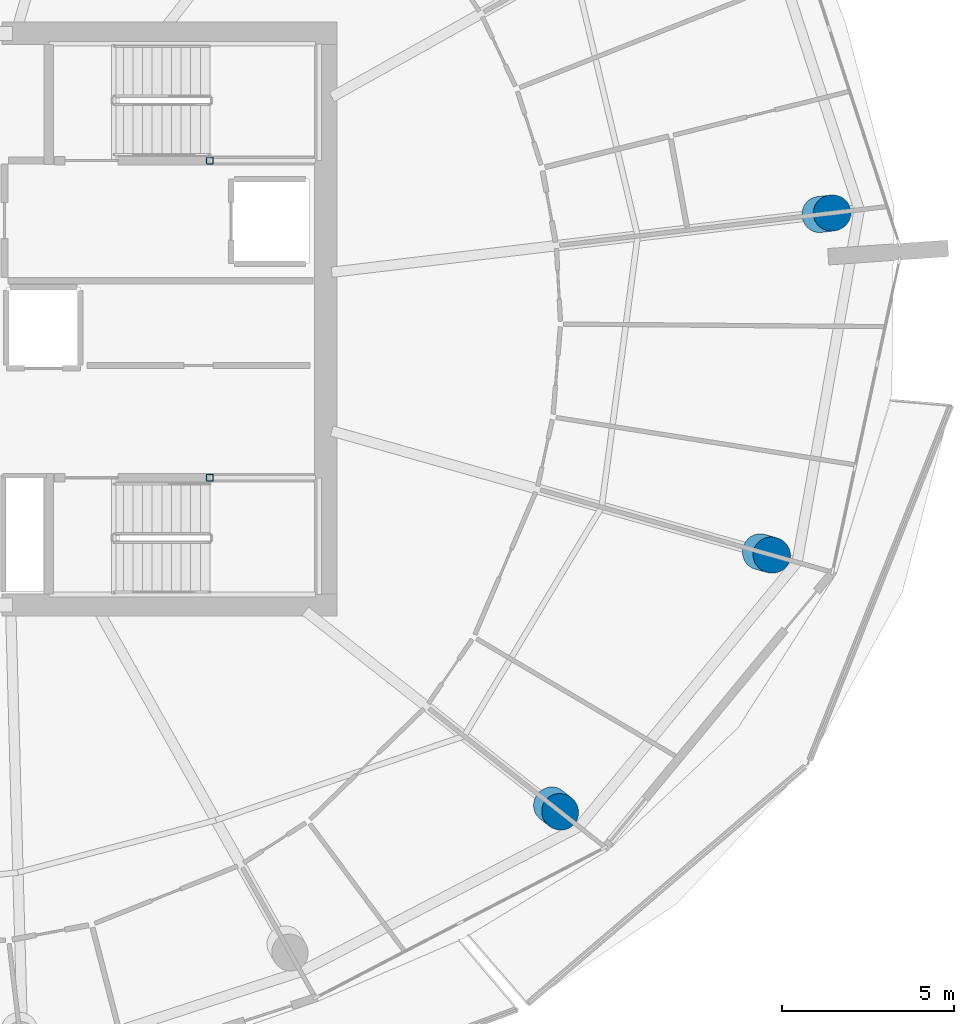
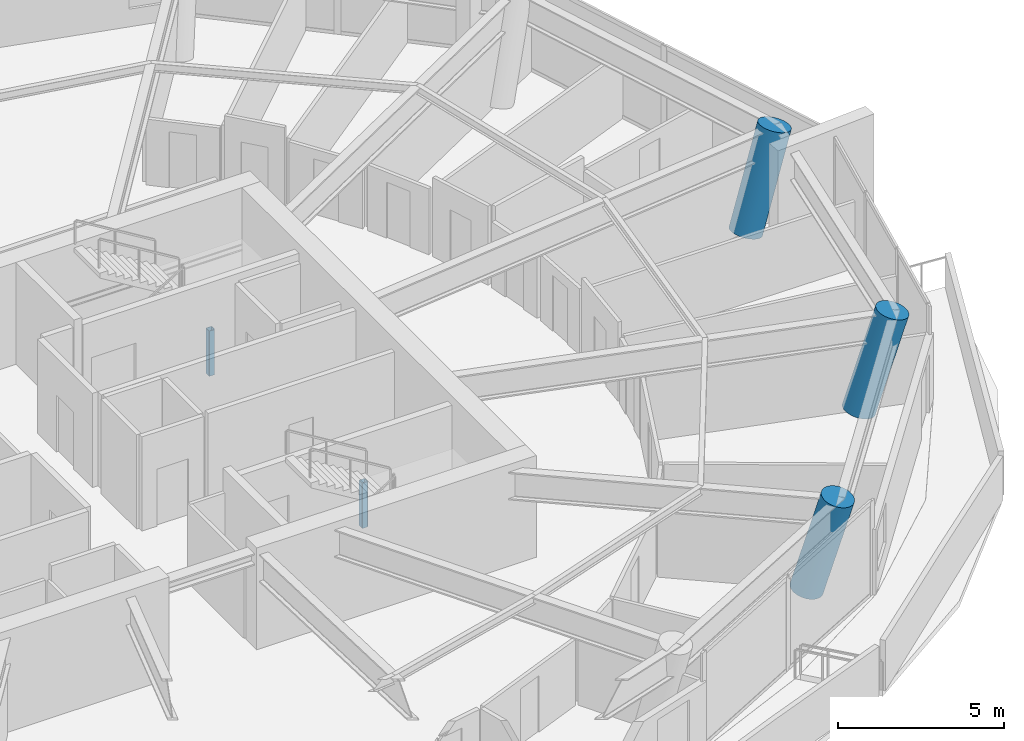
# One storey, part 3 of 20: 5 columns.
"""IFC4 building model written with IfcOpenShell, lengths in metres."""

import ifcopenshell
import ifcopenshell.guid

model = None  # the IFC model being written
_history = None  # IfcOwnerHistory: only IFC2X3 demands one
_inside = {}  # id of a spatial element -> (the spatial element, [elements in it])
_under = {}  # id of a project, library or spatial element -> (it, [spatial elements below it])
_declared = {}  # id of a project -> (the project, [libraries it declares])
_typed = {}  # id of a type object -> (the type object, [elements of that type])
_made_of = {}  # id of a material, layer set ... -> (it, [elements and type objects made of it])


def new_model(schema):
    """Start an empty IFC model of exactly this schema.

    Asked for "IFC4X3", IfcOpenShell would pick the latest addendum, in which some entities
    have other attributes; the version numbers below select the first issue.
    IFC2X3 requires an IfcOwnerHistory on every rooted entity: one is made here for all.
    """
    global model, _history
    if schema == "IFC4X3":
        model = ifcopenshell.file(schema_version=(4, 3, 0, 0))
    else:
        model = ifcopenshell.file(schema=schema)
    _inside.clear()
    _under.clear()
    _declared.clear()
    _typed.clear()
    _made_of.clear()
    _history = None
    if model.schema == "IFC2X3":
        org = make("IfcOrganization", Name="unknown")
        user = make(
            "IfcPersonAndOrganization",
            ThePerson=make("IfcPerson", FamilyName="unknown"),
            TheOrganization=org,
        )
        app = make(
            "IfcApplication",
            ApplicationDeveloper=org,
            Version="unknown",
            ApplicationFullName="unknown",
            ApplicationIdentifier="unknown",
        )
        _history = make(
            "IfcOwnerHistory",
            OwningUser=user,
            OwningApplication=app,
            ChangeAction="ADDED",
            CreationDate=0,
        )
    return model


def make(cls, **values):
    """One entity of the class cls with the attributes given. An attribute that is None is left unset."""
    return model.create_entity(
        cls, **{name: value for name, value in values.items() if value is not None}
    )


def rooted(cls, **values):
    """An entity with a GlobalId (a new one), such as an element, a storey or a relation."""
    return make(cls, GlobalId=ifcopenshell.guid.new(), OwnerHistory=_history, **values)


def si_unit(unit_type, name, prefix=None):
    """IfcSIUnit, for example si_unit("LENGTHUNIT", "METRE", prefix="MILLI")."""
    return make("IfcSIUnit", UnitType=unit_type, Prefix=prefix, Name=name)


def assignment(units):
    """IfcUnitAssignment: the units of a project."""
    return None if units is None else make("IfcUnitAssignment", Units=units)


def point(xyz):
    """IfcCartesianPoint."""
    return None if xyz is None else make("IfcCartesianPoint", Coordinates=xyz)


def direction(xyz):
    """IfcDirection."""
    return None if xyz is None else make("IfcDirection", DirectionRatios=xyz)


def frame(location, z_axis=None, x_axis=None):
    """IfcAxis2Placement3D, a coordinate frame: its origin and axes. An axis left out is left unset."""
    return make(
        "IfcAxis2Placement3D",
        Location=point(location),
        Axis=direction(z_axis),
        RefDirection=direction(x_axis),
    )


def frame_2d(location, x_axis=None):
    """IfcAxis2Placement2D, a coordinate frame in the plane: its origin and x axis."""
    return make(
        "IfcAxis2Placement2D", Location=point(location), RefDirection=direction(x_axis)
    )


def origin():
    """The frame at (0, 0, 0) with its axes left unset."""
    return frame((0.0, 0.0, 0.0))


def origin_2d():
    """The frame at (0, 0) in the plane with its x axis left unset."""
    return frame_2d((0.0, 0.0))


def place(relative_to, where):
    """IfcLocalPlacement: puts the frame where relative to a parent placement (None: the world)."""
    return make(
        "IfcLocalPlacement", PlacementRelTo=relative_to, RelativePlacement=where
    )


def context(
    kind, dimensions, precision=None, world=None, true_north=None, identifier=None
):
    """IfcGeometricRepresentationContext, for example the 3D "Model" context."""
    return make(
        "IfcGeometricRepresentationContext",
        ContextIdentifier=identifier,
        ContextType=kind,
        CoordinateSpaceDimension=dimensions,
        Precision=precision,
        WorldCoordinateSystem=world,
        TrueNorth=true_north,
    )


def subcontext(parent, identifier, kind, view, scale=None):
    """IfcGeometricRepresentationSubContext, for example "Body" below "Model"."""
    return make(
        "IfcGeometricRepresentationSubContext",
        ContextIdentifier=identifier,
        ContextType=kind,
        ParentContext=parent,
        TargetScale=scale,
        TargetView=view,
    )


def project(units=None, contexts=None):
    """IfcProject with its units and contexts."""
    return rooted(
        "IfcProject",
        Name="project",
        RepresentationContexts=contexts,
        UnitsInContext=assignment(units),
    )


def spatial(cls, under=None, at=None, **own):
    """A site, building, storey or space (cls), placed at a placement, below another one or the project."""
    s = rooted(cls, ObjectPlacement=at, **own)
    if under is not None:
        _under.setdefault(under.id(), (under, []))[1].append(s)
    return s


def profile(cls, at=None, kind="AREA", **sizes):
    """A parametric profile (cls). Its sizes go by their IFC names, for example OverallWidth=200.0."""
    return make(cls, ProfileType=kind, Position=at, **sizes)


def hollow_rectangle(**sizes):
    """IfcRectangleHollowProfileDef."""
    return profile("IfcRectangleHollowProfileDef", **sizes)


def circle(**sizes):
    """IfcCircleProfileDef."""
    return profile("IfcCircleProfileDef", **sizes)


def extrude(swept, where, along, depth):
    """IfcExtrudedAreaSolid: the profile swept, set in the frame where, extruded along a direction by depth."""
    return make(
        "IfcExtrudedAreaSolid",
        SweptArea=swept,
        Position=where,
        ExtrudedDirection=direction(along),
        Depth=depth,
    )


def shape(context_of_items, identifier, shape_type, items):
    """IfcShapeRepresentation: the items that make up one representation, for example the "Body"."""
    return make(
        "IfcShapeRepresentation",
        ContextOfItems=context_of_items,
        RepresentationIdentifier=identifier,
        RepresentationType=shape_type,
        Items=items,
    )


def material(Name=None, Category=None):
    """IfcMaterial."""
    return make("IfcMaterial", Name=Name, Category=Category)


def material_profile(
    of_material, cross_section, Name=None, Category=None, Priority=None
):
    """IfcMaterialProfile: a cross section and its material."""
    return make(
        "IfcMaterialProfile",
        Name=Name,
        Material=of_material,
        Profile=cross_section,
        Priority=Priority,
        Category=Category,
    )


def profile_set(profiles, Name=None, composite=None):
    """IfcMaterialProfileSet."""
    return make(
        "IfcMaterialProfileSet",
        Name=Name,
        MaterialProfiles=profiles,
        CompositeProfile=composite,
    )


def made_of(thing, what):
    """Note that an element or type object is made of a material, layer set ...; save() writes the relation."""
    if what is not None:
        _made_of.setdefault(what.id(), (what, []))[1].append(thing)
    return thing


def type_object(cls, material=None, **own):
    """A type object (cls), such as IfcWallType, which elements share."""
    return made_of(rooted(cls, **own), material)


def element(
    cls,
    number,
    at=None,
    inside=None,
    cuts=None,
    type_object=None,
    material=None,
    context=None,
    identifier="Body",
    shape_type=None,
    held_by="IfcProductDefinitionShape",
    body=None,
    shapes=None,
    **own,
):
    """One element of the class cls, such as IfcWall. Its Tag is "e" and its number.

    at: its placement. inside: the storey or other place that contains it. cuts: it is an
    opening in that element (IfcRelVoidsElement). A single representation is given by context,
    identifier, shape_type and body (its items); several are given by shapes. held_by: the class
    of the entity that holds the representations. save() writes the other relations.
    """
    e = rooted(cls, Tag="e%d" % number, ObjectPlacement=at, **own)
    if body is not None:
        shapes = [shape(context, identifier, shape_type, body)]
    if shapes is not None:
        e.Representation = make(held_by, Representations=shapes)
    if inside is not None:
        _inside.setdefault(inside.id(), (inside, []))[1].append(e)
    if cuts is not None:
        rooted(
            "IfcRelVoidsElement", RelatingBuildingElement=cuts, RelatedOpeningElement=e
        )
    if type_object is not None:
        _typed.setdefault(type_object.id(), (type_object, []))[1].append(e)
    return made_of(e, material)


def aggregate(whole, parts):
    """IfcRelAggregates: a whole, such as a stair, and the parts it consists of."""
    return rooted("IfcRelAggregates", RelatingObject=whole, RelatedObjects=parts)


def save(model, path):
    """Write the relations noted so far, then the file.

    IfcRelAggregates (storeys below a building ...), IfcRelContainedInSpatialStructure (elements
    in a storey), IfcRelDefinesByType, IfcRelAssociatesMaterial and IfcRelDeclares: one each for
    every whole, place, type object, material and project.
    """
    for whole, parts in _under.values():
        aggregate(whole, parts)
    for where, things in _inside.values():
        rooted(
            "IfcRelContainedInSpatialStructure",
            RelatedElements=things,
            RelatingStructure=where,
        )
    for kind, things in _typed.values():
        rooted("IfcRelDefinesByType", RelatedObjects=things, RelatingType=kind)
    for what, things in _made_of.values():
        rooted("IfcRelAssociatesMaterial", RelatedObjects=things, RelatingMaterial=what)
    for by, libraries in _declared.values():
        rooted("IfcRelDeclares", RelatingContext=by, RelatedDefinitions=libraries)
    model.write(path)


model = new_model("IFC4")

# Units and contexts
model_context = context("Model", 3, precision=1e-05, world=origin(), true_north=direction((0.0, 1.0)))
body_context = subcontext(model_context, "Body", "Model", "MODEL_VIEW")
ifc_project = project(units=[si_unit("LENGTHUNIT", "METRE"), si_unit("AREAUNIT", "SQUARE_METRE"), si_unit("VOLUMEUNIT", "CUBIC_METRE"), si_unit("PLANEANGLEUNIT", "RADIAN"), si_unit("MASSUNIT", "GRAM", prefix="KILO")], contexts=[model_context])

# Site, building, storey
site_placement = place(None, origin())
site = spatial("IfcSite", under=ifc_project, at=site_placement, CompositionType="ELEMENT")
building_placement = place(site_placement, origin())
building = spatial("IfcBuilding", under=site, at=building_placement, Name="Kazma Halo Residences", CompositionType="ELEMENT")
storey_placement = place(building_placement, frame((0.0, 0.0, 221.550048828125)))
storey = spatial("IfcBuildingStorey", under=building, at=storey_placement, Name="L56", CompositionType="ELEMENT", Elevation=221.550048828125)

# Columns
ifc_material_1 = material(Name="Steel S355", Category="steel")
ifc_material_profile_1 = material_profile(ifc_material_1, hollow_rectangle(XDim=0.199951171875, YDim=0.199951171875, WallThickness=0.010009765625, InnerFilletRadius=0.010009765625, OuterFilletRadius=0.02001953125, at=origin_2d()), Name="SHS200x200x10")
ifc_profile_set_1 = profile_set([ifc_material_profile_1], Name="Steel S355")
column_type_1 = type_object("IfcColumnType", Name="COL-LP-SHS200", PredefinedType="COLUMN", material=ifc_profile_set_1)
for number, where, z_axis, x_axis, name in (
    (1, (56.0, 46.6201171875, 0.0), (0.0, 0.0, 1.0), (1.0, 0.0, 0.0), "L56 ST-02 landing pilaster 1"),
    (2, (56.0, 37.3798828125, 0.0), (0.0, 0.0, 1.0), (1.0, 0.0, 0.0), "L56 ST-03 landing pilaster 1"),
):
    element("IfcColumn", number, at=place(storey_placement, frame(where, z_axis=z_axis, x_axis=x_axis)), inside=storey, type_object=column_type_1, Name=name, PredefinedType="COLUMN", context=body_context, shape_type="SweptSolid", body=[
        extrude(hollow_rectangle(XDim=0.199951171875, YDim=0.199951171875, WallThickness=0.010009765625, InnerFilletRadius=0.010009765625, OuterFilletRadius=0.02001953125, at=origin_2d()), origin(), (0.0, 0.0, 1.0), 1.669921875),
    ])
ifc_material_2 = material(Name="Concrete C80/95", Category="concrete")
ifc_material_profile_2 = material_profile(ifc_material_2, circle(Radius=0.52490234375, at=origin_2d()), Name="CIRC1050")
ifc_profile_set_2 = profile_set([ifc_material_profile_2], Name="Concrete C80/95")
column_type_2 = type_object("IfcColumnType", Name="COL-PERIM-1050", PredefinedType="COLUMN", material=ifc_profile_set_2)
column_1_placement = place(storey_placement, frame((65.944091796875, 27.85400390625, 0.0), z_axis=(0.208518335243, -0.164359117207, 0.964109010672), x_axis=(0.619039399449, 0.785359931452, 0.0)))
element("IfcColumn", 3, at=column_1_placement, inside=storey, type_object=column_type_2, Name="L56 perimeter ring column P14", PredefinedType="COLUMN", context=body_context, shape_type="SweptSolid", body=[
    extrude(circle(Radius=0.52490234375, at=origin_2d()), origin(), (0.0, 0.0, 1.0), 3.59912109375),
])
column_2_placement = place(storey_placement, frame((72.019775390625, 35.2255859375, 0.0), z_axis=(0.277251706749, -0.078156009679, 0.957613246178), x_axis=(0.271321276561, 0.962488838837, 0.0)))
element("IfcColumn", 4, at=column_2_placement, inside=storey, type_object=column_type_2, Name="L56 perimeter ring column P15", PredefinedType="COLUMN", context=body_context, shape_type="SweptSolid", body=[
    extrude(circle(Radius=0.52490234375, at=origin_2d()), origin(), (0.0, 0.0, 1.0), 3.62353515625),
])
column_3_placement = place(storey_placement, frame((73.751708984375, 45.0478515625, 0.0), z_axis=(0.296221268103, 0.035054976638, 0.954475829414), x_axis=(-0.117520467118, 0.993070460646, 0.0)))
element("IfcColumn", 5, at=column_3_placement, inside=storey, type_object=column_type_2, Name="L56 perimeter ring column P16", PredefinedType="COLUMN", context=body_context, shape_type="SweptSolid", body=[
    extrude(circle(Radius=0.52490234375, at=origin_2d()), origin(), (0.0, 0.0, 1.0), 3.635498046875),
])

save(model, "model.ifc")
